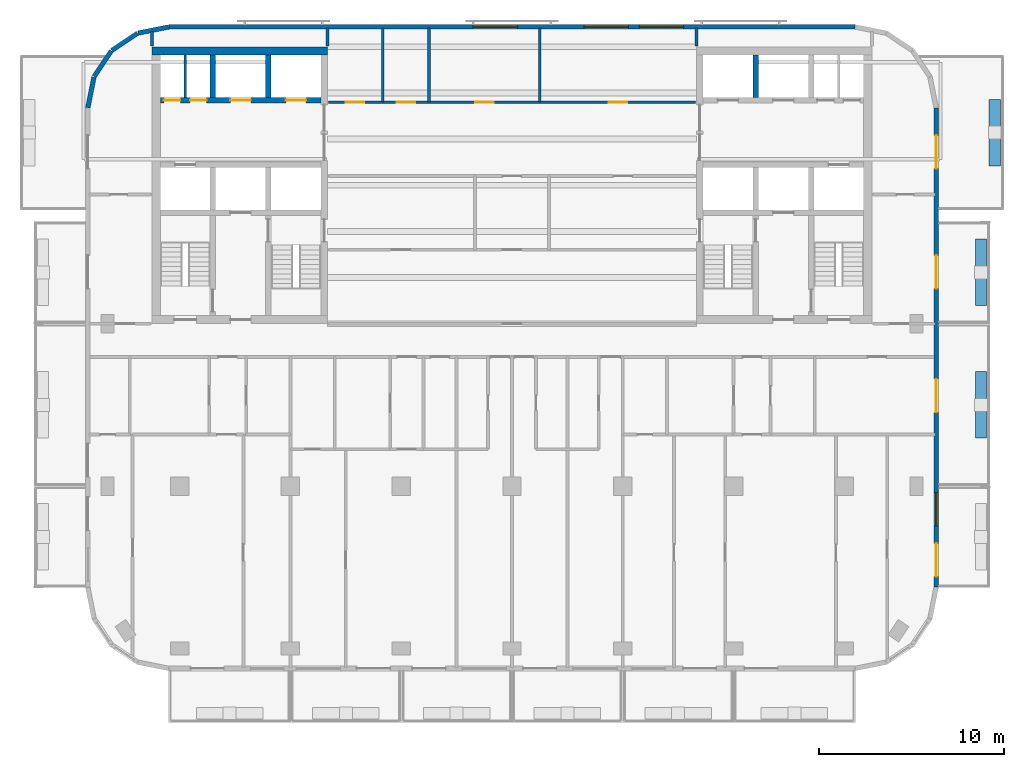
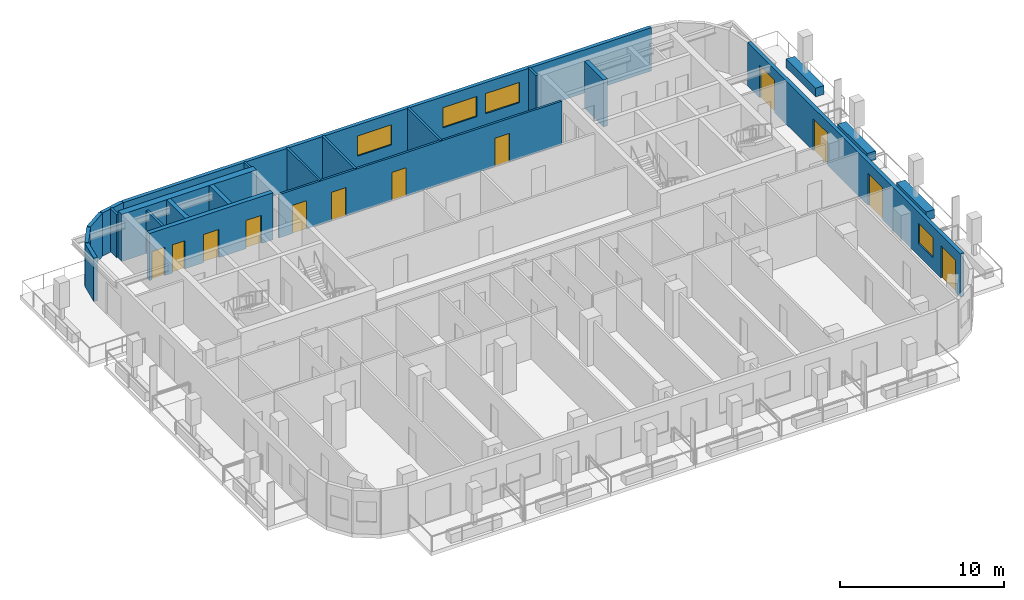
# One storey, part 6 of 11: 22 walls, 12 doors, 4 windows, 16 openings.
"""IFC4 building model written with IfcOpenShell, lengths in metres."""

import ifcopenshell
import ifcopenshell.guid

model = None  # the IFC model being written
_history = None  # IfcOwnerHistory: only IFC2X3 demands one
_inside = {}  # id of a spatial element -> (the spatial element, [elements in it])
_under = {}  # id of a project, library or spatial element -> (it, [spatial elements below it])
_declared = {}  # id of a project -> (the project, [libraries it declares])
_typed = {}  # id of a type object -> (the type object, [elements of that type])
_made_of = {}  # id of a material, layer set ... -> (it, [elements and type objects made of it])


def new_model(schema):
    """Start an empty IFC model of exactly this schema.

    Asked for "IFC4X3", IfcOpenShell would pick the latest addendum, in which some entities
    have other attributes; the version numbers below select the first issue.
    IFC2X3 requires an IfcOwnerHistory on every rooted entity: one is made here for all.
    """
    global model, _history
    if schema == "IFC4X3":
        model = ifcopenshell.file(schema_version=(4, 3, 0, 0))
    else:
        model = ifcopenshell.file(schema=schema)
    _inside.clear()
    _under.clear()
    _declared.clear()
    _typed.clear()
    _made_of.clear()
    _history = None
    if model.schema == "IFC2X3":
        org = make("IfcOrganization", Name="unknown")
        user = make(
            "IfcPersonAndOrganization",
            ThePerson=make("IfcPerson", FamilyName="unknown"),
            TheOrganization=org,
        )
        app = make(
            "IfcApplication",
            ApplicationDeveloper=org,
            Version="unknown",
            ApplicationFullName="unknown",
            ApplicationIdentifier="unknown",
        )
        _history = make(
            "IfcOwnerHistory",
            OwningUser=user,
            OwningApplication=app,
            ChangeAction="ADDED",
            CreationDate=0,
        )
    return model


def make(cls, **values):
    """One entity of the class cls with the attributes given. An attribute that is None is left unset."""
    return model.create_entity(
        cls, **{name: value for name, value in values.items() if value is not None}
    )


def rooted(cls, **values):
    """An entity with a GlobalId (a new one), such as an element, a storey or a relation."""
    return make(cls, GlobalId=ifcopenshell.guid.new(), OwnerHistory=_history, **values)


def si_unit(unit_type, name, prefix=None):
    """IfcSIUnit, for example si_unit("LENGTHUNIT", "METRE", prefix="MILLI")."""
    return make("IfcSIUnit", UnitType=unit_type, Prefix=prefix, Name=name)


def assignment(units):
    """IfcUnitAssignment: the units of a project."""
    return None if units is None else make("IfcUnitAssignment", Units=units)


def point(xyz):
    """IfcCartesianPoint."""
    return None if xyz is None else make("IfcCartesianPoint", Coordinates=xyz)


def direction(xyz):
    """IfcDirection."""
    return None if xyz is None else make("IfcDirection", DirectionRatios=xyz)


def frame(location, z_axis=None, x_axis=None):
    """IfcAxis2Placement3D, a coordinate frame: its origin and axes. An axis left out is left unset."""
    return make(
        "IfcAxis2Placement3D",
        Location=point(location),
        Axis=direction(z_axis),
        RefDirection=direction(x_axis),
    )


def frame_2d(location, x_axis=None):
    """IfcAxis2Placement2D, a coordinate frame in the plane: its origin and x axis."""
    return make(
        "IfcAxis2Placement2D", Location=point(location), RefDirection=direction(x_axis)
    )


def origin():
    """The frame at (0, 0, 0) with its axes left unset."""
    return frame((0.0, 0.0, 0.0))


def place(relative_to, where):
    """IfcLocalPlacement: puts the frame where relative to a parent placement (None: the world)."""
    return make(
        "IfcLocalPlacement", PlacementRelTo=relative_to, RelativePlacement=where
    )


def context(
    kind, dimensions, precision=None, world=None, true_north=None, identifier=None
):
    """IfcGeometricRepresentationContext, for example the 3D "Model" context."""
    return make(
        "IfcGeometricRepresentationContext",
        ContextIdentifier=identifier,
        ContextType=kind,
        CoordinateSpaceDimension=dimensions,
        Precision=precision,
        WorldCoordinateSystem=world,
        TrueNorth=true_north,
    )


def subcontext(parent, identifier, kind, view, scale=None):
    """IfcGeometricRepresentationSubContext, for example "Body" below "Model"."""
    return make(
        "IfcGeometricRepresentationSubContext",
        ContextIdentifier=identifier,
        ContextType=kind,
        ParentContext=parent,
        TargetScale=scale,
        TargetView=view,
    )


def project(units=None, contexts=None):
    """IfcProject with its units and contexts."""
    return rooted(
        "IfcProject",
        Name="project",
        RepresentationContexts=contexts,
        UnitsInContext=assignment(units),
    )


def spatial(cls, under=None, at=None, **own):
    """A site, building, storey or space (cls), placed at a placement, below another one or the project."""
    s = rooted(cls, ObjectPlacement=at, **own)
    if under is not None:
        _under.setdefault(under.id(), (under, []))[1].append(s)
    return s


def profile(cls, at=None, kind="AREA", **sizes):
    """A parametric profile (cls). Its sizes go by their IFC names, for example OverallWidth=200.0."""
    return make(cls, ProfileType=kind, Position=at, **sizes)


def rectangle(**sizes):
    """IfcRectangleProfileDef."""
    return profile("IfcRectangleProfileDef", **sizes)


def extrude(swept, where, along, depth):
    """IfcExtrudedAreaSolid: the profile swept, set in the frame where, extruded along a direction by depth."""
    return make(
        "IfcExtrudedAreaSolid",
        SweptArea=swept,
        Position=where,
        ExtrudedDirection=direction(along),
        Depth=depth,
    )


def shape(context_of_items, identifier, shape_type, items):
    """IfcShapeRepresentation: the items that make up one representation, for example the "Body"."""
    return make(
        "IfcShapeRepresentation",
        ContextOfItems=context_of_items,
        RepresentationIdentifier=identifier,
        RepresentationType=shape_type,
        Items=items,
    )


def material(Name=None, Category=None):
    """IfcMaterial."""
    return make("IfcMaterial", Name=Name, Category=Category)


def layer(
    of_material, thickness, ventilated=None, Name=None, Category=None, Priority=None
):
    """IfcMaterialLayer: one layer of a wall or slab, of a material (None: an air gap)."""
    return make(
        "IfcMaterialLayer",
        Material=of_material,
        LayerThickness=thickness,
        IsVentilated=ventilated,
        Name=Name,
        Category=Category,
        Priority=Priority,
    )


def layer_set(layers, Name=None):
    """IfcMaterialLayerSet."""
    return make("IfcMaterialLayerSet", MaterialLayers=layers, LayerSetName=Name)


def made_of(thing, what):
    """Note that an element or type object is made of a material, layer set ...; save() writes the relation."""
    if what is not None:
        _made_of.setdefault(what.id(), (what, []))[1].append(thing)
    return thing


def type_object(cls, material=None, **own):
    """A type object (cls), such as IfcWallType, which elements share."""
    return made_of(rooted(cls, **own), material)


def element(
    cls,
    number,
    at=None,
    inside=None,
    cuts=None,
    type_object=None,
    material=None,
    context=None,
    identifier="Body",
    shape_type=None,
    held_by="IfcProductDefinitionShape",
    body=None,
    shapes=None,
    **own,
):
    """One element of the class cls, such as IfcWall. Its Tag is "e" and its number.

    at: its placement. inside: the storey or other place that contains it. cuts: it is an
    opening in that element (IfcRelVoidsElement). A single representation is given by context,
    identifier, shape_type and body (its items); several are given by shapes. held_by: the class
    of the entity that holds the representations. save() writes the other relations.
    """
    e = rooted(cls, Tag="e%d" % number, ObjectPlacement=at, **own)
    if body is not None:
        shapes = [shape(context, identifier, shape_type, body)]
    if shapes is not None:
        e.Representation = make(held_by, Representations=shapes)
    if inside is not None:
        _inside.setdefault(inside.id(), (inside, []))[1].append(e)
    if cuts is not None:
        rooted(
            "IfcRelVoidsElement", RelatingBuildingElement=cuts, RelatedOpeningElement=e
        )
    if type_object is not None:
        _typed.setdefault(type_object.id(), (type_object, []))[1].append(e)
    return made_of(e, material)


def fill(opening, filler):
    """IfcRelFillsElement: the door or window that sits in an opening."""
    return rooted(
        "IfcRelFillsElement",
        RelatingOpeningElement=opening,
        RelatedBuildingElement=filler,
    )


def aggregate(whole, parts):
    """IfcRelAggregates: a whole, such as a stair, and the parts it consists of."""
    return rooted("IfcRelAggregates", RelatingObject=whole, RelatedObjects=parts)


def save(model, path):
    """Write the relations noted so far, then the file.

    IfcRelAggregates (storeys below a building ...), IfcRelContainedInSpatialStructure (elements
    in a storey), IfcRelDefinesByType, IfcRelAssociatesMaterial and IfcRelDeclares: one each for
    every whole, place, type object, material and project.
    """
    for whole, parts in _under.values():
        aggregate(whole, parts)
    for where, things in _inside.values():
        rooted(
            "IfcRelContainedInSpatialStructure",
            RelatedElements=things,
            RelatingStructure=where,
        )
    for kind, things in _typed.values():
        rooted("IfcRelDefinesByType", RelatedObjects=things, RelatingType=kind)
    for what, things in _made_of.values():
        rooted("IfcRelAssociatesMaterial", RelatedObjects=things, RelatingMaterial=what)
    for by, libraries in _declared.values():
        rooted("IfcRelDeclares", RelatingContext=by, RelatedDefinitions=libraries)
    model.write(path)


model = new_model("IFC4")

# Units and contexts
model_context = context("Model", 3, precision=1e-05, world=origin(), true_north=direction((0.0, 1.0)))
body_context = subcontext(model_context, "Body", "Model", "MODEL_VIEW")
ifc_project = project(units=[si_unit("LENGTHUNIT", "METRE"), si_unit("AREAUNIT", "SQUARE_METRE"), si_unit("VOLUMEUNIT", "CUBIC_METRE"), si_unit("PLANEANGLEUNIT", "RADIAN"), si_unit("MASSUNIT", "GRAM", prefix="KILO")], contexts=[model_context])

# Site, building, storey
site_placement = place(None, origin())
site = spatial("IfcSite", under=ifc_project, at=site_placement, CompositionType="ELEMENT")
building_placement = place(site_placement, origin())
building = spatial("IfcBuilding", under=site, at=building_placement, Name="Torana Hotel and Residences", CompositionType="ELEMENT")
storey_placement = place(building_placement, frame((0.0, 0.0, 284.10009765625)))
storey = spatial("IfcBuildingStorey", under=building, at=storey_placement, Name="L75", CompositionType="ELEMENT", Elevation=284.10009765625)

# Wall, openings, doors
ifc_material_1 = material(Name="Concrete C60/75", Category="concrete")
ifc_layer_1 = layer(ifc_material_1, 0.300048828125)
ifc_layer_set_1 = layer_set([ifc_layer_1], Name="CORE WALL 300 C60/75")
wall_type_1 = type_object("IfcWallType", Name="CORE WALL 300 C60/75", PredefinedType="SHEAR", material=ifc_layer_set_1)
wall_1_placement = place(storey_placement, frame((-19.050048828125, -2.89990234375, 0.0), z_axis=(0.0, 0.0, 1.0), x_axis=(1.0, 0.0, 0.0)))
wall_1 = element("IfcWall", 1, at=wall_1_placement, inside=storey, type_object=wall_type_1, Name="Core wall W row-N", PredefinedType="SHEAR", context=body_context, shape_type="SweptSolid", body=[
    extrude(rectangle(XDim=8.699951171875, YDim=0.300048828125, at=frame_2d((4.35009765625, 0.0))), origin(), (0.0, 0.0, 1.0), 3.5),
])
opening_1_placement = place(wall_1_placement, frame((6.800048828125, 0.0, 0.0)))
opening_1 = element("IfcOpeningElement", 2, at=opening_1_placement, cuts=wall_1, Name="Opening LD", PredefinedType="OPENING", context=body_context, shape_type="SweptSolid", body=[
    extrude(rectangle(XDim=1.10009765625, YDim=2.10009765625, at=frame_2d((0.550048828125, 1.050048828125))), frame((0.0, 0.159912109375, 0.0), z_axis=(0.0, -1.0, 0.0), x_axis=(1.0, 0.0, 0.0)), (0.0, 0.0, 1.0), 0.320068359375),
])
opening_2_placement = place(wall_1_placement, frame((3.800048828125, 0.0, 0.0)))
opening_2 = element("IfcOpeningElement", 3, at=opening_2_placement, cuts=wall_1, Name="Opening LD", PredefinedType="OPENING", context=body_context, shape_type="SweptSolid", body=[
    extrude(rectangle(XDim=1.10009765625, YDim=2.10009765625, at=frame_2d((0.550048828125, 1.050048828125))), frame((0.0, 0.159912109375, 0.0), z_axis=(0.0, -1.0, 0.0), x_axis=(1.0, 0.0, 0.0)), (0.0, 0.0, 1.0), 0.320068359375),
])
opening_3_placement = place(wall_1_placement, frame((1.612548828125, 0.0, 0.0)))
opening_3 = element("IfcOpeningElement", 4, at=opening_3_placement, cuts=wall_1, Name="Opening L75-06", PredefinedType="OPENING", context=body_context, shape_type="SweptSolid", body=[
    extrude(rectangle(XDim=0.89990234375, YDim=2.10009765625, at=frame_2d((0.449951171875, 1.050048828125))), frame((0.0, 0.159912109375, 0.0), z_axis=(0.0, -1.0, 0.0), x_axis=(1.0, 0.0, 0.0)), (0.0, 0.0, 1.0), 0.320068359375),
])
opening_4_placement = place(wall_1_placement, frame((0.1875, 0.0, 0.0)))
opening_4 = element("IfcOpeningElement", 5, at=opening_4_placement, cuts=wall_1, Name="Opening L75-07", PredefinedType="OPENING", context=body_context, shape_type="SweptSolid", body=[
    extrude(rectangle(XDim=0.89990234375, YDim=2.10009765625, at=frame_2d((0.449951171875, 1.050048828125))), frame((0.0, 0.159912109375, 0.0), z_axis=(0.0, -1.0, 0.0), x_axis=(1.0, 0.0, 0.0)), (0.0, 0.0, 1.0), 0.320068359375),
])
ifc_material_2 = material(Name="Stainless steel 316", Category="steel")
door_type_1 = type_object("IfcDoorType", Name="LIFT LANDING DOOR LD 1100x2100", OperationType="DOUBLE_DOOR_SLIDING", PredefinedType="USERDEFINED", material=ifc_material_2)
door_1_placement = place(opening_1_placement, origin())
door_1 = element("IfcDoor", 6, at=door_1_placement, inside=storey, type_object=door_type_1, Name="Lift landing door H1 L75", ObjectType="LIFT LANDING DOOR", OperationType="DOUBLE_DOOR_SLIDING", OverallHeight=2.10009765625, OverallWidth=1.10009765625, PredefinedType="USERDEFINED", context=body_context, shape_type="SweptSolid", body=[
    extrude(rectangle(XDim=1.10009765625, YDim=2.10009765625, at=frame_2d((0.550048828125, 1.050048828125))), frame((0.0, 0.02490234375, 0.0), z_axis=(0.0, -1.0, 0.0), x_axis=(1.0, 0.0, 0.0)), (0.0, 0.0, 1.0), 0.050048828125),
])
fill(opening_1, door_1)
door_2_placement = place(opening_2_placement, origin())
door_2 = element("IfcDoor", 7, at=door_2_placement, inside=storey, type_object=door_type_1, Name="Lift landing door H2 L75", ObjectType="LIFT LANDING DOOR", OperationType="DOUBLE_DOOR_SLIDING", OverallHeight=2.10009765625, OverallWidth=1.10009765625, PredefinedType="USERDEFINED", context=body_context, shape_type="SweptSolid", body=[
    extrude(rectangle(XDim=1.10009765625, YDim=2.10009765625, at=frame_2d((0.550048828125, 1.050048828125))), frame((0.0, 0.02490234375, 0.0), z_axis=(0.0, -1.0, 0.0), x_axis=(1.0, 0.0, 0.0)), (0.0, 0.0, 1.0), 0.050048828125),
])
fill(opening_2, door_2)
ifc_material_3 = material(Name="Steel S235", Category="steel")
door_type_2 = type_object("IfcDoorType", Name="RISER ACCESS DOOR D5 900x2100", OperationType="SINGLE_SWING_LEFT", PredefinedType="DOOR", material=ifc_material_3)
door_3_placement = place(opening_3_placement, origin())
door_3 = element("IfcDoor", 8, at=door_3_placement, inside=storey, type_object=door_type_2, Name="N2A door L75", OperationType="SINGLE_SWING_RIGHT", OverallHeight=2.10009765625, OverallWidth=0.89990234375, PredefinedType="DOOR", context=body_context, shape_type="SweptSolid", body=[
    extrude(rectangle(XDim=0.89990234375, YDim=2.10009765625, at=frame_2d((0.449951171875, 1.050048828125))), frame((0.0, 0.02490234375, 0.0), z_axis=(0.0, -1.0, 0.0), x_axis=(1.0, 0.0, 0.0)), (0.0, 0.0, 1.0), 0.050048828125),
])
fill(opening_3, door_3)
door_4_placement = place(opening_4_placement, origin())
door_4 = element("IfcDoor", 9, at=door_4_placement, inside=storey, type_object=door_type_2, Name="N2B door L75", OperationType="SINGLE_SWING_RIGHT", OverallHeight=2.10009765625, OverallWidth=0.89990234375, PredefinedType="DOOR", context=body_context, shape_type="SweptSolid", body=[
    extrude(rectangle(XDim=0.89990234375, YDim=2.10009765625, at=frame_2d((0.449951171875, 1.050048828125))), frame((0.0, 0.02490234375, 0.0), z_axis=(0.0, -1.0, 0.0), x_axis=(1.0, 0.0, 0.0)), (0.0, 0.0, 1.0), 0.050048828125),
])
fill(opening_4, door_4)

# Walls
for number, where, z_axis, x_axis, name in (
    (10, (-13.199951171875, -2.75, 0.0), (0.0, 0.0, 1.0), (0.0, 1.0, 0.0), "Core wall W x3.05-N"),
    (11, (-16.199951171875, -2.75, 0.0), (0.0, 0.0, 1.0), (0.0, 1.0, 0.0), "Core wall W x6.05-N"),
    (12, (13.199951171875, -2.75, 0.0), (0.0, 0.0, 1.0), (0.0, 1.0, 0.0), "Core wall E x3.05-N"),
):
    element("IfcWall", number, at=place(storey_placement, frame(where, z_axis=z_axis, x_axis=x_axis)), inside=storey, type_object=wall_type_1, Name=name, PredefinedType="SHEAR", context=body_context, shape_type="SweptSolid", body=[
        extrude(rectangle(XDim=2.300048828125, YDim=0.300048828125, at=frame_2d((1.14990234375, 0.0))), origin(), (0.0, 0.0, 1.0), 3.5),
    ])
ifc_material_4 = material(Name="Concrete C60/75", Category="concrete")
ifc_layer_2 = layer(ifc_material_4, 0.449951171875)
ifc_layer_set_2 = layer_set([ifc_layer_2], Name="CORE WALL 450 C60/75")
wall_type_2 = type_object("IfcWallType", Name="CORE WALL 450 C60/75", PredefinedType="SHEAR", material=ifc_layer_set_2)
wall_2_placement = place(storey_placement, frame((-19.5, -0.22509765625, 0.0), z_axis=(0.0, 0.0, 1.0), x_axis=(1.0, 0.0, 0.0)))
element("IfcWall", 13, at=wall_2_placement, inside=storey, type_object=wall_type_2, Name="Core wall W rear", PredefinedType="SHEAR", context=body_context, shape_type="SweptSolid", body=[
    extrude(rectangle(XDim=9.5, YDim=0.449951171875, at=frame_2d((4.75, 0.0))), origin(), (0.0, 0.0, 1.0), 3.5),
])
ifc_material_5 = material(Name="Black aluminium composite panel", Category="aluminium")
ifc_layer_3 = layer(ifc_material_5, 0.00390625, Name="Cladding", Category="cladding")
ifc_material_6 = material(Name="Ventilated air cavity")
ifc_layer_4 = layer(ifc_material_6, 0.0400390625, Name="Ventilated cavity", Category="cavity")
ifc_material_7 = material(Name="Mineral wool insulation")
ifc_layer_5 = layer(ifc_material_7, 0.090087890625, Name="Insulation", Category="insulation")
ifc_material_8 = material(Name="Steel S280GD", Category="steel")
ifc_layer_6 = layer(ifc_material_8, 0.092041015625, Name="Steel stud frame", Category="structure")
ifc_material_9 = material(Name="Fire rated plasterboard")
ifc_layer_7 = layer(ifc_material_9, 0.011962890625, Name="Inner board", Category="finish")
ifc_layer_8 = layer(ifc_material_9, 0.011962890625, Name="Second board", Category="finish")
ifc_layer_set_3 = layer_set([ifc_layer_3, ifc_layer_4, ifc_layer_5, ifc_layer_6, ifc_layer_7, ifc_layer_8], Name="EW1 EXTERNAL WALL BLACK METAL CLAD 250")
wall_type_3 = type_object("IfcWallType", Name="EW1 EXTERNAL WALL BLACK METAL CLAD 250", PredefinedType="SOLIDWALL", material=ifc_layer_set_3)
wall_3_placement = place(storey_placement, frame((-18.599853515625, 1.072509765625, 0.0), z_axis=(0.0, 0.0, 1.0), x_axis=(-0.980797896849, -0.195026884138, 0.0)))
element("IfcWall", 14, at=wall_3_placement, inside=storey, type_object=wall_type_3, Name="External wall L75 e0.5", PredefinedType="SOLIDWALL", context=body_context, shape_type="SweptSolid", body=[
    extrude(rectangle(XDim=1.68115234375, YDim=0.25, at=frame_2d((0.840576171875, 0.0))), origin(), (0.0, 0.0, 1.0), 3.219970703125),
])
for number, where, z_axis, x_axis, name in (
    (15, (-20.2939453125, 0.725830078125, 0.0), (0.0, 0.0, 1.0), (-0.831482937015, -0.55555029066, 0.0), "External wall L75 e0.6"),
    (16, (-21.705810546875, -0.228759765625, 0.0), (0.0, 0.0, 1.0), (-0.55555029066, -0.831482937015, 0.0), "External wall L75 e0.7"),
):
    element("IfcWall", number, at=place(storey_placement, frame(where, z_axis=z_axis, x_axis=x_axis)), inside=storey, type_object=wall_type_3, Name=name, PredefinedType="SOLIDWALL", context=body_context, shape_type="SweptSolid", body=[
        extrude(rectangle(XDim=1.65625, YDim=0.25, at=frame_2d((0.828125, 0.0))), origin(), (0.0, 0.0, 1.0), 3.219970703125),
    ])
wall_4_placement = place(storey_placement, frame((-22.64453125, -1.651123046875, 0.0), z_axis=(0.0, 0.0, 1.0), x_axis=(-0.19513878023, -0.980775640221, 0.0)))
element("IfcWall", 17, at=wall_4_placement, inside=storey, type_object=wall_type_3, Name="External wall L75 e0.8", PredefinedType="SOLIDWALL", context=body_context, shape_type="SweptSolid", body=[
    extrude(rectangle(XDim=1.681396484375, YDim=0.25, at=frame_2d((0.8408203125, 0.0))), origin(), (0.0, 0.0, 1.0), 3.219970703125),
])

# Wall, openings, doors, window
wall_5_placement = place(storey_placement, frame((22.97509765625, -29.275390625, 0.0), z_axis=(0.0, 0.0, 1.0), x_axis=(0.0, 1.0, 0.0)))
wall_5 = element("IfcWall", 18, at=wall_5_placement, inside=storey, type_object=wall_type_3, Name="External wall L75 e0.19", PredefinedType="SOLIDWALL", context=body_context, shape_type="SweptSolid", body=[
    extrude(rectangle(XDim=25.95068359375, YDim=0.25, at=frame_2d((12.975341796875, 0.0))), origin(), (0.0, 0.0, 1.0), 3.219970703125),
])
opening_5_placement = place(wall_5_placement, frame((0.575439453125, 0.0, 0.0)))
opening_5 = element("IfcOpeningElement", 19, at=opening_5_placement, cuts=wall_5, Name="Opening L75-E07", PredefinedType="OPENING", context=body_context, shape_type="SweptSolid", body=[
    extrude(rectangle(XDim=1.800048828125, YDim=2.39990234375, at=frame_2d((0.89990234375, 1.199951171875))), frame((0.0, 0.135009765625, 0.0), z_axis=(0.0, -1.0, 0.0), x_axis=(1.0, 0.0, 0.0)), (0.0, 0.0, 1.0), 0.27001953125),
])
opening_6_placement = place(wall_5_placement, frame((3.325439453125, 0.0, 0.89990234375)))
opening_6 = element("IfcOpeningElement", 20, at=opening_6_placement, cuts=wall_5, Name="Opening W4", PredefinedType="OPENING", context=body_context, shape_type="SweptSolid", body=[
    extrude(rectangle(XDim=1.800048828125, YDim=1.5, at=frame_2d((0.89990234375, 0.75))), frame((0.0, 0.135009765625, 0.0), z_axis=(0.0, -1.0, 0.0), x_axis=(1.0, 0.0, 0.0)), (0.0, 0.0, 1.0), 0.27001953125),
])
opening_7_placement = place(wall_5_placement, frame((9.475341796875, 0.0, 0.0)))
opening_7 = element("IfcOpeningElement", 21, at=opening_7_placement, cuts=wall_5, Name="Opening L75-E08", PredefinedType="OPENING", context=body_context, shape_type="SweptSolid", body=[
    extrude(rectangle(XDim=1.800048828125, YDim=2.39990234375, at=frame_2d((0.89990234375, 1.199951171875))), frame((0.0, 0.135009765625, 0.0), z_axis=(0.0, -1.0, 0.0), x_axis=(1.0, 0.0, 0.0)), (0.0, 0.0, 1.0), 0.27001953125),
])
opening_8_placement = place(wall_5_placement, frame((16.17529296875, 0.0, 0.0)))
opening_8 = element("IfcOpeningElement", 22, at=opening_8_placement, cuts=wall_5, Name="Opening L75-E09", PredefinedType="OPENING", context=body_context, shape_type="SweptSolid", body=[
    extrude(rectangle(XDim=1.800048828125, YDim=2.39990234375, at=frame_2d((0.89990234375, 1.199951171875))), frame((0.0, 0.135009765625, 0.0), z_axis=(0.0, -1.0, 0.0), x_axis=(1.0, 0.0, 0.0)), (0.0, 0.0, 1.0), 0.27001953125),
])
opening_9_placement = place(wall_5_placement, frame((22.67529296875, 0.0, 0.0)))
opening_9 = element("IfcOpeningElement", 23, at=opening_9_placement, cuts=wall_5, Name="Opening L75-E10", PredefinedType="OPENING", context=body_context, shape_type="SweptSolid", body=[
    extrude(rectangle(XDim=1.800048828125, YDim=2.39990234375, at=frame_2d((0.89990234375, 1.199951171875))), frame((0.0, 0.135009765625, 0.0), z_axis=(0.0, -1.0, 0.0), x_axis=(1.0, 0.0, 0.0)), (0.0, 0.0, 1.0), 0.27001953125),
])
ifc_material_10 = material(Name="Dark glass in black aluminium frame", Category="aluminium")
door_type_3 = type_object("IfcDoorType", Name="DB1 BALCONY DOOR 1800x2400", OperationType="DOUBLE_DOOR_SINGLE_SWING", PredefinedType="DOOR", material=ifc_material_10)
door_5_placement = place(opening_5_placement, origin())
door_5 = element("IfcDoor", 24, at=door_5_placement, inside=storey, type_object=door_type_3, Name="Balcony door L75", OperationType="DOUBLE_DOOR_SINGLE_SWING", OverallHeight=2.39990234375, OverallWidth=1.800048828125, PredefinedType="DOOR", context=body_context, shape_type="SweptSolid", body=[
    extrude(rectangle(XDim=1.800048828125, YDim=2.39990234375, at=frame_2d((0.89990234375, 1.199951171875))), frame((0.0, 0.02490234375, 0.0), z_axis=(0.0, -1.0, 0.0), x_axis=(1.0, 0.0, 0.0)), (0.0, 0.0, 1.0), 0.050048828125),
])
fill(opening_5, door_5)
door_6_placement = place(opening_7_placement, origin())
door_6 = element("IfcDoor", 25, at=door_6_placement, inside=storey, type_object=door_type_3, Name="Balcony door L75", OperationType="DOUBLE_DOOR_SINGLE_SWING", OverallHeight=2.39990234375, OverallWidth=1.800048828125, PredefinedType="DOOR", context=body_context, shape_type="SweptSolid", body=[
    extrude(rectangle(XDim=1.800048828125, YDim=2.39990234375, at=frame_2d((0.89990234375, 1.199951171875))), frame((0.0, 0.02490234375, 0.0), z_axis=(0.0, -1.0, 0.0), x_axis=(1.0, 0.0, 0.0)), (0.0, 0.0, 1.0), 0.050048828125),
])
fill(opening_7, door_6)
door_7_placement = place(opening_8_placement, origin())
door_7 = element("IfcDoor", 26, at=door_7_placement, inside=storey, type_object=door_type_3, Name="Balcony door L75", OperationType="DOUBLE_DOOR_SINGLE_SWING", OverallHeight=2.39990234375, OverallWidth=1.800048828125, PredefinedType="DOOR", context=body_context, shape_type="SweptSolid", body=[
    extrude(rectangle(XDim=1.800048828125, YDim=2.39990234375, at=frame_2d((0.89990234375, 1.199951171875))), frame((0.0, 0.02490234375, 0.0), z_axis=(0.0, -1.0, 0.0), x_axis=(1.0, 0.0, 0.0)), (0.0, 0.0, 1.0), 0.050048828125),
])
fill(opening_8, door_7)
door_8_placement = place(opening_9_placement, origin())
door_8 = element("IfcDoor", 27, at=door_8_placement, inside=storey, type_object=door_type_3, Name="Balcony door L75", OperationType="DOUBLE_DOOR_SINGLE_SWING", OverallHeight=2.39990234375, OverallWidth=1.800048828125, PredefinedType="DOOR", context=body_context, shape_type="SweptSolid", body=[
    extrude(rectangle(XDim=1.800048828125, YDim=2.39990234375, at=frame_2d((0.89990234375, 1.199951171875))), frame((0.0, 0.02490234375, 0.0), z_axis=(0.0, -1.0, 0.0), x_axis=(1.0, 0.0, 0.0)), (0.0, 0.0, 1.0), 0.050048828125),
])
fill(opening_9, door_8)
ifc_material_11 = material(Name="Dark glass in black aluminium frame", Category="aluminium")
window_type_1 = type_object("IfcWindowType", Name="W4 RESIDENCE WINDOW NARROW 1800x1500", PartitioningType="SINGLE_PANEL", PredefinedType="WINDOW", material=ifc_material_11)
window_1_placement = place(opening_6_placement, origin())
window_1 = element("IfcWindow", 28, at=window_1_placement, inside=storey, type_object=window_type_1, Name="Window L75", OverallHeight=1.5, OverallWidth=1.800048828125, PartitioningType="SINGLE_PANEL", PredefinedType="WINDOW", context=body_context, shape_type="SweptSolid", body=[
    extrude(rectangle(XDim=1.800048828125, YDim=1.5, at=frame_2d((0.89990234375, 0.75))), frame((0.0, 0.030029296875, 0.0), z_axis=(0.0, -1.0, 0.0), x_axis=(1.0, 0.0, 0.0)), (0.0, 0.0, 1.0), 0.06005859375),
])
fill(opening_6, window_1)

# Wall, openings, windows
ifc_material_12 = material(Name="Concrete C40/50 precast", Category="concrete")
ifc_layer_9 = layer(ifc_material_12, 0.10009765625, Name="Perforated block", Category="cladding")
ifc_material_13 = material(Name="Air cavity")
ifc_layer_10 = layer(ifc_material_13, 0.030029296875, Name="Cavity", Category="cavity")
ifc_material_14 = material(Name="Concrete C40/50", Category="concrete")
ifc_layer_11 = layer(ifc_material_14, 0.10009765625, Name="Wall", Category="structure")
ifc_material_15 = material(Name="Plaster and paint")
ifc_layer_12 = layer(ifc_material_15, 0.02001953125, Name="Inner finish", Category="finish")
ifc_layer_set_4 = layer_set([ifc_layer_9, ifc_layer_10, ifc_layer_11, ifc_layer_12], Name="EW2 PERFORATED BLOCK SCREEN WALL 250")
wall_type_4 = type_object("IfcWallType", Name="EW2 PERFORATED BLOCK SCREEN WALL 250", PredefinedType="SOLIDWALL", material=ifc_layer_set_4)
wall_6_placement = place(storey_placement, frame((18.575439453125, 1.074951171875, 0.0), z_axis=(0.0, 0.0, 1.0), x_axis=(-1.0, 0.0, 0.0)))
wall_6 = element("IfcWall", 29, at=wall_6_placement, inside=storey, type_object=wall_type_4, Name="External wall L75 e0.4", PredefinedType="SOLIDWALL", context=body_context, shape_type="SweptSolid", body=[
    extrude(rectangle(XDim=37.15087890625, YDim=0.25, at=frame_2d((18.575439453125, 0.0))), origin(), (0.0, 0.0, 1.0), 3.219970703125),
])
opening_10_placement = place(wall_6_placement, frame((9.275390625, 0.0, 0.89990234375)))
opening_10 = element("IfcOpeningElement", 30, at=opening_10_placement, cuts=wall_6, Name="Opening W3", PredefinedType="OPENING", context=body_context, shape_type="SweptSolid", body=[
    extrude(rectangle(XDim=2.39990234375, YDim=1.5, at=frame_2d((1.199951171875, 0.75))), frame((0.0, 0.135009765625, 0.0), z_axis=(0.0, -1.0, 0.0), x_axis=(1.0, 0.0, 0.0)), (0.0, 0.0, 1.0), 0.27001953125),
])
opening_11_placement = place(wall_6_placement, frame((12.275390625, 0.0, 0.89990234375)))
opening_11 = element("IfcOpeningElement", 31, at=opening_11_placement, cuts=wall_6, Name="Opening W3", PredefinedType="OPENING", context=body_context, shape_type="SweptSolid", body=[
    extrude(rectangle(XDim=2.39990234375, YDim=1.5, at=frame_2d((1.199951171875, 0.75))), frame((0.0, 0.135009765625, 0.0), z_axis=(0.0, -1.0, 0.0), x_axis=(1.0, 0.0, 0.0)), (0.0, 0.0, 1.0), 0.27001953125),
])
opening_12_placement = place(wall_6_placement, frame((18.275390625, 0.0, 0.89990234375)))
opening_12 = element("IfcOpeningElement", 32, at=opening_12_placement, cuts=wall_6, Name="Opening W3", PredefinedType="OPENING", context=body_context, shape_type="SweptSolid", body=[
    extrude(rectangle(XDim=2.39990234375, YDim=1.5, at=frame_2d((1.199951171875, 0.75))), frame((0.0, 0.135009765625, 0.0), z_axis=(0.0, -1.0, 0.0), x_axis=(1.0, 0.0, 0.0)), (0.0, 0.0, 1.0), 0.27001953125),
])
ifc_material_16 = material(Name="Dark glass in black aluminium frame", Category="aluminium")
window_type_2 = type_object("IfcWindowType", Name="W3 RESIDENCE WINDOW 2400x1500", PartitioningType="SINGLE_PANEL", PredefinedType="WINDOW", material=ifc_material_16)
window_2_placement = place(opening_10_placement, origin())
window_2 = element("IfcWindow", 33, at=window_2_placement, inside=storey, type_object=window_type_2, Name="Window L75", OverallHeight=1.5, OverallWidth=2.39990234375, PartitioningType="SINGLE_PANEL", PredefinedType="WINDOW", context=body_context, shape_type="SweptSolid", body=[
    extrude(rectangle(XDim=2.39990234375, YDim=1.5, at=frame_2d((1.199951171875, 0.75))), frame((0.0, 0.030029296875, 0.0), z_axis=(0.0, -1.0, 0.0), x_axis=(1.0, 0.0, 0.0)), (0.0, 0.0, 1.0), 0.06005859375),
])
fill(opening_10, window_2)
window_3_placement = place(opening_11_placement, origin())
window_3 = element("IfcWindow", 34, at=window_3_placement, inside=storey, type_object=window_type_2, Name="Window L75", OverallHeight=1.5, OverallWidth=2.39990234375, PartitioningType="SINGLE_PANEL", PredefinedType="WINDOW", context=body_context, shape_type="SweptSolid", body=[
    extrude(rectangle(XDim=2.39990234375, YDim=1.5, at=frame_2d((1.199951171875, 0.75))), frame((0.0, 0.030029296875, 0.0), z_axis=(0.0, -1.0, 0.0), x_axis=(1.0, 0.0, 0.0)), (0.0, 0.0, 1.0), 0.06005859375),
])
fill(opening_11, window_3)
window_4_placement = place(opening_12_placement, origin())
window_4 = element("IfcWindow", 35, at=window_4_placement, inside=storey, type_object=window_type_2, Name="Window L75", OverallHeight=1.5, OverallWidth=2.39990234375, PartitioningType="SINGLE_PANEL", PredefinedType="WINDOW", context=body_context, shape_type="SweptSolid", body=[
    extrude(rectangle(XDim=2.39990234375, YDim=1.5, at=frame_2d((1.199951171875, 0.75))), frame((0.0, 0.030029296875, 0.0), z_axis=(0.0, -1.0, 0.0), x_axis=(1.0, 0.0, 0.0)), (0.0, 0.0, 1.0), 0.06005859375),
])
fill(opening_12, window_4)

# Wall
ifc_material_17 = material(Name="Gypsum plaster")
ifc_layer_13 = layer(ifc_material_17, 0.014892578125, Name="Plaster", Category="finish")
ifc_material_18 = material(Name="Concrete blockwork", Category="masonry")
ifc_layer_14 = layer(ifc_material_18, 0.1201171875, Name="Blockwork", Category="structure")
ifc_layer_15 = layer(ifc_material_17, 0.014892578125, Name="Plaster", Category="finish")
ifc_layer_set_5 = layer_set([ifc_layer_13, ifc_layer_14, ifc_layer_15], Name="FIRE PARTITION 150 BLOCKWORK")
wall_type_5 = type_object("IfcWallType", Name="FIRE PARTITION 150 BLOCKWORK", PredefinedType="PARTITIONING", material=ifc_layer_set_5)
wall_7_placement = place(storey_placement, frame((-17.699951171875, -2.75, 0.0), z_axis=(0.0, 0.0, 1.0), x_axis=(0.0, 1.0, 0.0)))
element("IfcWall", 36, at=wall_7_placement, inside=storey, type_object=wall_type_5, Name="Core partition L75", PredefinedType="PARTITIONING", context=body_context, shape_type="SweptSolid", body=[
    extrude(rectangle(XDim=2.300048828125, YDim=0.14990234375, at=frame_2d((1.14990234375, 0.0))), origin(), (0.0, 0.0, 1.0), 3.199951171875),
])

# Wall, openings, doors
wall_8_placement = place(storey_placement, frame((-9.949951171875, -3.0, 0.0), z_axis=(0.0, 0.0, 1.0), x_axis=(1.0, 0.0, 0.0)))
wall_8 = element("IfcWall", 37, at=wall_8_placement, inside=storey, type_object=wall_type_5, Name="Partition L75", PredefinedType="PARTITIONING", context=body_context, shape_type="SweptSolid", body=[
    extrude(rectangle(XDim=19.89990234375, YDim=0.14990234375, at=frame_2d((9.949951171875, 0.0))), origin(), (0.0, 0.0, 1.0), 3.219970703125),
])
opening_13_placement = place(wall_8_placement, frame((0.949951171875, 0.0, 0.0)))
opening_13 = element("IfcOpeningElement", 38, at=opening_13_placement, cuts=wall_8, Name="Opening L75-34", PredefinedType="OPENING", context=body_context, shape_type="SweptSolid", body=[
    extrude(rectangle(XDim=1.0, YDim=2.10009765625, at=frame_2d((0.5, 1.050048828125))), frame((0.0, 0.0849609375, 0.0), z_axis=(0.0, -1.0, 0.0), x_axis=(1.0, 0.0, 0.0)), (0.0, 0.0, 1.0), 0.169921875),
])
opening_14_placement = place(wall_8_placement, frame((3.699951171875, 0.0, 0.0)))
opening_14 = element("IfcOpeningElement", 39, at=opening_14_placement, cuts=wall_8, Name="Opening L75-35", PredefinedType="OPENING", context=body_context, shape_type="SweptSolid", body=[
    extrude(rectangle(XDim=1.0, YDim=2.10009765625, at=frame_2d((0.5, 1.050048828125))), frame((0.0, 0.0849609375, 0.0), z_axis=(0.0, -1.0, 0.0), x_axis=(1.0, 0.0, 0.0)), (0.0, 0.0, 1.0), 0.169921875),
])
opening_15_placement = place(wall_8_placement, frame((7.949951171875, 0.0, 0.0)))
opening_15 = element("IfcOpeningElement", 40, at=opening_15_placement, cuts=wall_8, Name="Opening L75-36", PredefinedType="OPENING", context=body_context, shape_type="SweptSolid", body=[
    extrude(rectangle(XDim=1.0, YDim=2.10009765625, at=frame_2d((0.5, 1.050048828125))), frame((0.0, 0.0849609375, 0.0), z_axis=(0.0, -1.0, 0.0), x_axis=(1.0, 0.0, 0.0)), (0.0, 0.0, 1.0), 0.169921875),
])
opening_16_placement = place(wall_8_placement, frame((15.199951171875, 0.0, 0.0)))
opening_16 = element("IfcOpeningElement", 41, at=opening_16_placement, cuts=wall_8, Name="Opening L75-37", PredefinedType="OPENING", context=body_context, shape_type="SweptSolid", body=[
    extrude(rectangle(XDim=1.0, YDim=2.10009765625, at=frame_2d((0.5, 1.050048828125))), frame((0.0, 0.0849609375, 0.0), z_axis=(0.0, -1.0, 0.0), x_axis=(1.0, 0.0, 0.0)), (0.0, 0.0, 1.0), 0.169921875),
])
ifc_material_19 = material(Name="Steel S235", Category="steel")
door_type_4 = type_object("IfcDoorType", Name="ENTRY FIRE DOOR D6 1000x2100", OperationType="SINGLE_SWING_LEFT", PredefinedType="DOOR", material=ifc_material_19)
door_9_placement = place(opening_13_placement, origin())
door_9 = element("IfcDoor", 42, at=door_9_placement, inside=storey, type_object=door_type_4, Name="Door L75", OperationType="SINGLE_SWING_RIGHT", OverallHeight=2.10009765625, OverallWidth=1.0, PredefinedType="DOOR", context=body_context, shape_type="SweptSolid", body=[
    extrude(rectangle(XDim=1.0, YDim=2.10009765625, at=frame_2d((0.5, 1.050048828125))), frame((0.0, 0.02490234375, 0.0), z_axis=(0.0, -1.0, 0.0), x_axis=(1.0, 0.0, 0.0)), (0.0, 0.0, 1.0), 0.050048828125),
])
fill(opening_13, door_9)
door_10_placement = place(opening_14_placement, origin())
door_10 = element("IfcDoor", 43, at=door_10_placement, inside=storey, type_object=door_type_4, Name="Door L75", OperationType="SINGLE_SWING_RIGHT", OverallHeight=2.10009765625, OverallWidth=1.0, PredefinedType="DOOR", context=body_context, shape_type="SweptSolid", body=[
    extrude(rectangle(XDim=1.0, YDim=2.10009765625, at=frame_2d((0.5, 1.050048828125))), frame((0.0, 0.02490234375, 0.0), z_axis=(0.0, -1.0, 0.0), x_axis=(1.0, 0.0, 0.0)), (0.0, 0.0, 1.0), 0.050048828125),
])
fill(opening_14, door_10)
door_11_placement = place(opening_15_placement, origin())
door_11 = element("IfcDoor", 44, at=door_11_placement, inside=storey, type_object=door_type_4, Name="Door L75", OperationType="SINGLE_SWING_RIGHT", OverallHeight=2.10009765625, OverallWidth=1.0, PredefinedType="DOOR", context=body_context, shape_type="SweptSolid", body=[
    extrude(rectangle(XDim=1.0, YDim=2.10009765625, at=frame_2d((0.5, 1.050048828125))), frame((0.0, 0.02490234375, 0.0), z_axis=(0.0, -1.0, 0.0), x_axis=(1.0, 0.0, 0.0)), (0.0, 0.0, 1.0), 0.050048828125),
])
fill(opening_15, door_11)
door_12_placement = place(opening_16_placement, origin())
door_12 = element("IfcDoor", 45, at=door_12_placement, inside=storey, type_object=door_type_4, Name="Door L75", OperationType="SINGLE_SWING_RIGHT", OverallHeight=2.10009765625, OverallWidth=1.0, PredefinedType="DOOR", context=body_context, shape_type="SweptSolid", body=[
    extrude(rectangle(XDim=1.0, YDim=2.10009765625, at=frame_2d((0.5, 1.050048828125))), frame((0.0, 0.02490234375, 0.0), z_axis=(0.0, -1.0, 0.0), x_axis=(1.0, 0.0, 0.0)), (0.0, 0.0, 1.0), 0.050048828125),
])
fill(opening_16, door_12)

# Walls
ifc_material_20 = material(Name="Gypsum plasterboard")
ifc_layer_16 = layer(ifc_material_20, 0.012451171875, Name="Plasterboard", Category="finish")
ifc_layer_17 = layer(ifc_material_20, 0.012451171875, Name="Plasterboard", Category="finish")
ifc_layer_18 = layer(ifc_material_8, 0.10009765625, Name="Steel studs with mineral wool", Category="insulation")
ifc_layer_19 = layer(ifc_material_20, 0.012451171875, Name="Plasterboard", Category="finish")
ifc_layer_20 = layer(ifc_material_20, 0.012451171875, Name="Plasterboard", Category="finish")
ifc_layer_set_6 = layer_set([ifc_layer_16, ifc_layer_17, ifc_layer_18, ifc_layer_19, ifc_layer_20], Name="PARTITION 150 PLASTERBOARD")
wall_type_6 = type_object("IfcWallType", Name="PARTITION 150 PLASTERBOARD", PredefinedType="PARTITIONING", material=ifc_layer_set_6)
wall_9_placement = place(storey_placement, frame((10.0, 0.050048828125, 0.0), z_axis=(0.0, 0.0, 1.0), x_axis=(0.0, 1.0, 0.0)))
element("IfcWall", 46, at=wall_9_placement, inside=storey, type_object=wall_type_6, Name="Partition L75", PredefinedType="PARTITIONING", context=body_context, shape_type="SweptSolid", body=[
    extrude(rectangle(XDim=0.969970703125, YDim=0.14990234375, at=frame_2d((0.48486328125, 0.0))), origin(), (0.0, 0.0, 1.0), 3.219970703125),
])
wall_10_placement = place(storey_placement, frame((1.5, -3.0, 0.0), z_axis=(0.0, 0.0, 1.0), x_axis=(0.0, 1.0, 0.0)))
element("IfcWall", 47, at=wall_10_placement, inside=storey, type_object=wall_type_6, Name="Partition L75", PredefinedType="PARTITIONING", context=body_context, shape_type="SweptSolid", body=[
    extrude(rectangle(XDim=4.02001953125, YDim=0.14990234375, at=frame_2d((2.010009765625, 0.0))), origin(), (0.0, 0.0, 1.0), 3.219970703125),
])
wall_11_placement = place(storey_placement, frame((-19.5, 0.050048828125, 0.0), z_axis=(0.0, 0.0, 1.0), x_axis=(0.0, 1.0, 0.0)))
element("IfcWall", 48, at=wall_11_placement, inside=storey, type_object=wall_type_6, Name="Partition L75", PredefinedType="PARTITIONING", context=body_context, shape_type="SweptSolid", body=[
    extrude(rectangle(XDim=0.787353515625, YDim=0.14990234375, at=frame_2d((0.3935546875, 0.0))), origin(), (0.0, 0.0, 1.0), 3.219970703125),
])
ifc_layer_21 = layer(ifc_material_12, 0.10009765625, Name="Planter shell", Category="structure")
ifc_material_21 = material(Name="Root resistant membrane")
ifc_layer_22 = layer(ifc_material_21, 0.00390625, Name="Waterproofing membrane", Category="membrane")
ifc_material_22 = material(Name="Drainage board with filter fleece")
ifc_layer_23 = layer(ifc_material_22, 0.02001953125, Name="Drainage board", Category="drainage")
ifc_material_23 = material(Name="Growing medium")
ifc_layer_24 = layer(ifc_material_23, 0.47607421875, Name="Planting substrate", Category="soil")
ifc_layer_set_7 = layer_set([ifc_layer_21, ifc_layer_22, ifc_layer_23, ifc_layer_24], Name="PL1 BALCONY PLANTER 600")
wall_type_7 = type_object("IfcWallType", Name="PL1 BALCONY PLANTER 600", PredefinedType="USERDEFINED", material=ifc_layer_set_7)
for number, where, z_axis, x_axis, name in (
    (49, (25.39990234375, -17.60009765625, 0.0), (0.0, 0.0, 1.0), (0.0, -1.0, 0.0), "Planter 12"),
    (50, (25.39990234375, -10.425048828125, 0.0), (0.0, 0.0, 1.0), (0.0, -1.0, 0.0), "Planter 13"),
    (51, (26.14990234375, -2.85009765625, 0.0), (0.0, 0.0, 1.0), (0.0, -1.0, 0.0), "Planter 14"),
):
    element("IfcWall", number, at=place(storey_placement, frame(where, z_axis=z_axis, x_axis=x_axis)), inside=storey, type_object=wall_type_7, Name=name, ObjectType="PLANTER", PredefinedType="USERDEFINED", context=body_context, shape_type="SweptSolid", body=[
        extrude(rectangle(XDim=3.599853515625, YDim=0.60009765625, at=frame_2d((1.7998046875, 0.0))), origin(), (0.0, 0.0, 1.0), 0.64990234375),
    ])
ifc_material_24 = material(Name="Ceramic tile on adhesive")
ifc_layer_25 = layer(ifc_material_24, 0.010009765625, Name="Wall tile", Category="finish")
ifc_material_25 = material(Name="Cement render")
ifc_layer_26 = layer(ifc_material_25, 0.010009765625, Name="Render", Category="finish")
ifc_layer_27 = layer(ifc_material_18, 0.110107421875, Name="Blockwork", Category="structure")
ifc_layer_28 = layer(ifc_material_25, 0.010009765625, Name="Render", Category="finish")
ifc_layer_29 = layer(ifc_material_24, 0.010009765625, Name="Wall tile", Category="finish")
ifc_layer_set_8 = layer_set([ifc_layer_25, ifc_layer_26, ifc_layer_27, ifc_layer_28, ifc_layer_29], Name="WC PARTITION 150")
wall_type_8 = type_object("IfcWallType", Name="WC PARTITION 150", PredefinedType="PLUMBINGWALL", material=ifc_layer_set_8)
for number, where, z_axis, x_axis, name in (
    (52, (-4.5, -3.0, 0.0), (0.0, 0.0, 1.0), (0.0, 1.0, 0.0), "Partition L75"),
    (53, (-7.0, -3.0, 0.0), (0.0, 0.0, 1.0), (0.0, 1.0, 0.0), "Partition L75"),
):
    element("IfcWall", number, at=place(storey_placement, frame(where, z_axis=z_axis, x_axis=x_axis)), inside=storey, type_object=wall_type_8, Name=name, PredefinedType="PLUMBINGWALL", context=body_context, shape_type="SweptSolid", body=[
        extrude(rectangle(XDim=4.02001953125, YDim=0.14990234375, at=frame_2d((2.010009765625, 0.0))), origin(), (0.0, 0.0, 1.0), 3.219970703125),
    ])
wall_12_placement = place(storey_placement, frame((-10.0, 0.050048828125, 0.0), z_axis=(0.0, 0.0, 1.0), x_axis=(0.0, 1.0, 0.0)))
element("IfcWall", 54, at=wall_12_placement, inside=storey, type_object=wall_type_8, Name="Partition L75", PredefinedType="PLUMBINGWALL", context=body_context, shape_type="SweptSolid", body=[
    extrude(rectangle(XDim=0.969970703125, YDim=0.14990234375, at=frame_2d((0.48486328125, 0.0))), origin(), (0.0, 0.0, 1.0), 3.219970703125),
])

save(model, "model.ifc")
